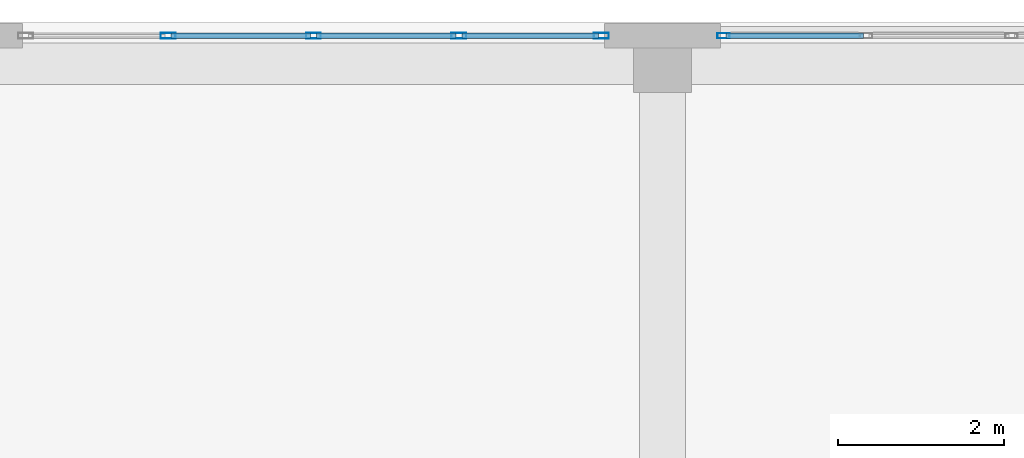
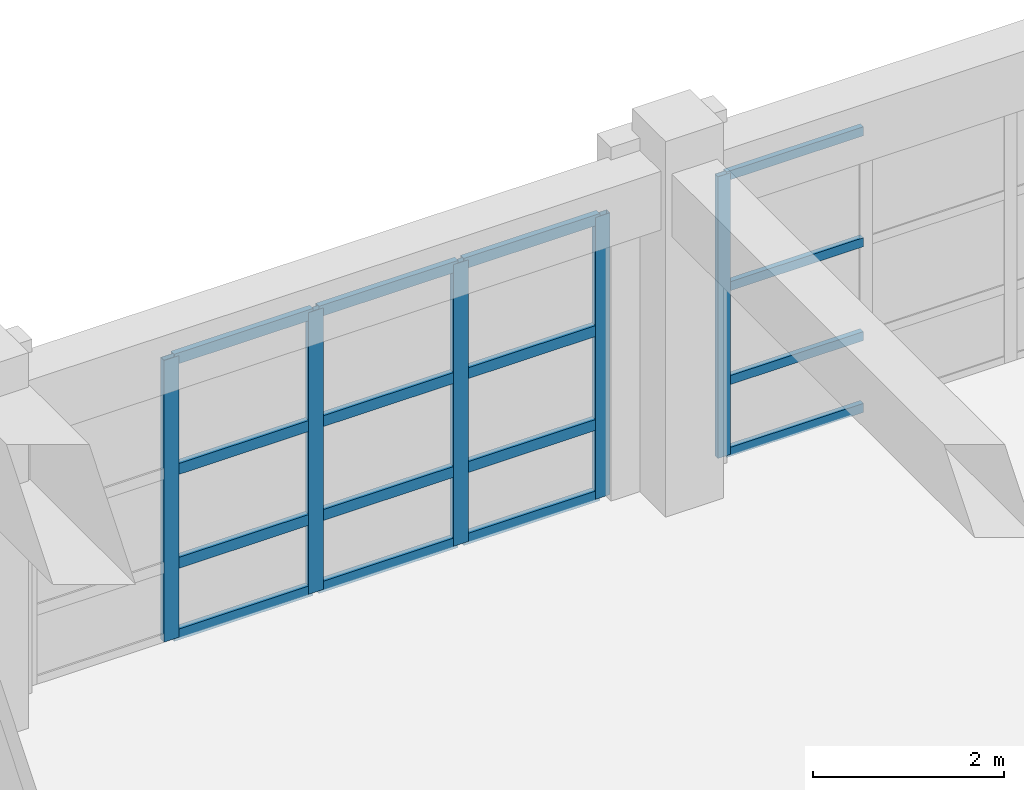
# One storey, part 82 of 123: 21 members, 2 elements without a shape of their own.
"""IFC4 building model written with IfcOpenShell, lengths in metres."""

import ifcopenshell
import ifcopenshell.guid

model = None  # the IFC model being written
_history = None  # IfcOwnerHistory: only IFC2X3 demands one
_inside = {}  # id of a spatial element -> (the spatial element, [elements in it])
_under = {}  # id of a project, library or spatial element -> (it, [spatial elements below it])
_declared = {}  # id of a project -> (the project, [libraries it declares])
_typed = {}  # id of a type object -> (the type object, [elements of that type])
_made_of = {}  # id of a material, layer set ... -> (it, [elements and type objects made of it])


def new_model(schema):
    """Start an empty IFC model of exactly this schema.

    Asked for "IFC4X3", IfcOpenShell would pick the latest addendum, in which some entities
    have other attributes; the version numbers below select the first issue.
    IFC2X3 requires an IfcOwnerHistory on every rooted entity: one is made here for all.
    """
    global model, _history
    if schema == "IFC4X3":
        model = ifcopenshell.file(schema_version=(4, 3, 0, 0))
    else:
        model = ifcopenshell.file(schema=schema)
    _inside.clear()
    _under.clear()
    _declared.clear()
    _typed.clear()
    _made_of.clear()
    _history = None
    if model.schema == "IFC2X3":
        org = make("IfcOrganization", Name="unknown")
        user = make(
            "IfcPersonAndOrganization",
            ThePerson=make("IfcPerson", FamilyName="unknown"),
            TheOrganization=org,
        )
        app = make(
            "IfcApplication",
            ApplicationDeveloper=org,
            Version="unknown",
            ApplicationFullName="unknown",
            ApplicationIdentifier="unknown",
        )
        _history = make(
            "IfcOwnerHistory",
            OwningUser=user,
            OwningApplication=app,
            ChangeAction="ADDED",
            CreationDate=0,
        )
    return model


def make(cls, **values):
    """One entity of the class cls with the attributes given. An attribute that is None is left unset."""
    return model.create_entity(
        cls, **{name: value for name, value in values.items() if value is not None}
    )


def rooted(cls, **values):
    """An entity with a GlobalId (a new one), such as an element, a storey or a relation."""
    return make(cls, GlobalId=ifcopenshell.guid.new(), OwnerHistory=_history, **values)


def si_unit(unit_type, name, prefix=None):
    """IfcSIUnit, for example si_unit("LENGTHUNIT", "METRE", prefix="MILLI")."""
    return make("IfcSIUnit", UnitType=unit_type, Prefix=prefix, Name=name)


def assignment(units):
    """IfcUnitAssignment: the units of a project."""
    return None if units is None else make("IfcUnitAssignment", Units=units)


def point(xyz):
    """IfcCartesianPoint."""
    return None if xyz is None else make("IfcCartesianPoint", Coordinates=xyz)


def direction(xyz):
    """IfcDirection."""
    return None if xyz is None else make("IfcDirection", DirectionRatios=xyz)


def frame(location, z_axis=None, x_axis=None):
    """IfcAxis2Placement3D, a coordinate frame: its origin and axes. An axis left out is left unset."""
    return make(
        "IfcAxis2Placement3D",
        Location=point(location),
        Axis=direction(z_axis),
        RefDirection=direction(x_axis),
    )


def frame_2d(location, x_axis=None):
    """IfcAxis2Placement2D, a coordinate frame in the plane: its origin and x axis."""
    return make(
        "IfcAxis2Placement2D", Location=point(location), RefDirection=direction(x_axis)
    )


def origin():
    """The frame at (0, 0, 0) with its axes left unset."""
    return frame((0.0, 0.0, 0.0))


def origin_2d():
    """The frame at (0, 0) in the plane with its x axis left unset."""
    return frame_2d((0.0, 0.0))


def place(relative_to, where):
    """IfcLocalPlacement: puts the frame where relative to a parent placement (None: the world)."""
    return make(
        "IfcLocalPlacement", PlacementRelTo=relative_to, RelativePlacement=where
    )


def context(
    kind, dimensions, precision=None, world=None, true_north=None, identifier=None
):
    """IfcGeometricRepresentationContext, for example the 3D "Model" context."""
    return make(
        "IfcGeometricRepresentationContext",
        ContextIdentifier=identifier,
        ContextType=kind,
        CoordinateSpaceDimension=dimensions,
        Precision=precision,
        WorldCoordinateSystem=world,
        TrueNorth=true_north,
    )


def subcontext(parent, identifier, kind, view, scale=None):
    """IfcGeometricRepresentationSubContext, for example "Body" below "Model"."""
    return make(
        "IfcGeometricRepresentationSubContext",
        ContextIdentifier=identifier,
        ContextType=kind,
        ParentContext=parent,
        TargetScale=scale,
        TargetView=view,
    )


def project(units=None, contexts=None):
    """IfcProject with its units and contexts."""
    return rooted(
        "IfcProject",
        Name="project",
        RepresentationContexts=contexts,
        UnitsInContext=assignment(units),
    )


def spatial(cls, under=None, at=None, **own):
    """A site, building, storey or space (cls), placed at a placement, below another one or the project."""
    s = rooted(cls, ObjectPlacement=at, **own)
    if under is not None:
        _under.setdefault(under.id(), (under, []))[1].append(s)
    return s


def profile(cls, at=None, kind="AREA", **sizes):
    """A parametric profile (cls). Its sizes go by their IFC names, for example OverallWidth=200.0."""
    return make(cls, ProfileType=kind, Position=at, **sizes)


def hollow_rectangle(**sizes):
    """IfcRectangleHollowProfileDef."""
    return profile("IfcRectangleHollowProfileDef", **sizes)


def extrude(swept, where, along, depth):
    """IfcExtrudedAreaSolid: the profile swept, set in the frame where, extruded along a direction by depth."""
    return make(
        "IfcExtrudedAreaSolid",
        SweptArea=swept,
        Position=where,
        ExtrudedDirection=direction(along),
        Depth=depth,
    )


def shape(context_of_items, identifier, shape_type, items):
    """IfcShapeRepresentation: the items that make up one representation, for example the "Body"."""
    return make(
        "IfcShapeRepresentation",
        ContextOfItems=context_of_items,
        RepresentationIdentifier=identifier,
        RepresentationType=shape_type,
        Items=items,
    )


def material(Name=None, Category=None):
    """IfcMaterial."""
    return make("IfcMaterial", Name=Name, Category=Category)


def layer(
    of_material, thickness, ventilated=None, Name=None, Category=None, Priority=None
):
    """IfcMaterialLayer: one layer of a wall or slab, of a material (None: an air gap)."""
    return make(
        "IfcMaterialLayer",
        Material=of_material,
        LayerThickness=thickness,
        IsVentilated=ventilated,
        Name=Name,
        Category=Category,
        Priority=Priority,
    )


def layer_set(layers, Name=None):
    """IfcMaterialLayerSet."""
    return make("IfcMaterialLayerSet", MaterialLayers=layers, LayerSetName=Name)


def material_profile(
    of_material, cross_section, Name=None, Category=None, Priority=None
):
    """IfcMaterialProfile: a cross section and its material."""
    return make(
        "IfcMaterialProfile",
        Name=Name,
        Material=of_material,
        Profile=cross_section,
        Priority=Priority,
        Category=Category,
    )


def profile_set(profiles, Name=None, composite=None):
    """IfcMaterialProfileSet."""
    return make(
        "IfcMaterialProfileSet",
        Name=Name,
        MaterialProfiles=profiles,
        CompositeProfile=composite,
    )


def made_of(thing, what):
    """Note that an element or type object is made of a material, layer set ...; save() writes the relation."""
    if what is not None:
        _made_of.setdefault(what.id(), (what, []))[1].append(thing)
    return thing


def type_object(cls, material=None, **own):
    """A type object (cls), such as IfcWallType, which elements share."""
    return made_of(rooted(cls, **own), material)


def element(
    cls,
    number,
    at=None,
    inside=None,
    cuts=None,
    type_object=None,
    material=None,
    context=None,
    identifier="Body",
    shape_type=None,
    held_by="IfcProductDefinitionShape",
    body=None,
    shapes=None,
    **own,
):
    """One element of the class cls, such as IfcWall. Its Tag is "e" and its number.

    at: its placement. inside: the storey or other place that contains it. cuts: it is an
    opening in that element (IfcRelVoidsElement). A single representation is given by context,
    identifier, shape_type and body (its items); several are given by shapes. held_by: the class
    of the entity that holds the representations. save() writes the other relations.
    """
    e = rooted(cls, Tag="e%d" % number, ObjectPlacement=at, **own)
    if body is not None:
        shapes = [shape(context, identifier, shape_type, body)]
    if shapes is not None:
        e.Representation = make(held_by, Representations=shapes)
    if inside is not None:
        _inside.setdefault(inside.id(), (inside, []))[1].append(e)
    if cuts is not None:
        rooted(
            "IfcRelVoidsElement", RelatingBuildingElement=cuts, RelatedOpeningElement=e
        )
    if type_object is not None:
        _typed.setdefault(type_object.id(), (type_object, []))[1].append(e)
    return made_of(e, material)


def aggregate(whole, parts):
    """IfcRelAggregates: a whole, such as a stair, and the parts it consists of."""
    return rooted("IfcRelAggregates", RelatingObject=whole, RelatedObjects=parts)


def save(model, path):
    """Write the relations noted so far, then the file.

    IfcRelAggregates (storeys below a building ...), IfcRelContainedInSpatialStructure (elements
    in a storey), IfcRelDefinesByType, IfcRelAssociatesMaterial and IfcRelDeclares: one each for
    every whole, place, type object, material and project.
    """
    for whole, parts in _under.values():
        aggregate(whole, parts)
    for where, things in _inside.values():
        rooted(
            "IfcRelContainedInSpatialStructure",
            RelatedElements=things,
            RelatingStructure=where,
        )
    for kind, things in _typed.values():
        rooted("IfcRelDefinesByType", RelatedObjects=things, RelatingType=kind)
    for what, things in _made_of.values():
        rooted("IfcRelAssociatesMaterial", RelatedObjects=things, RelatingMaterial=what)
    for by, libraries in _declared.values():
        rooted("IfcRelDeclares", RelatingContext=by, RelatedDefinitions=libraries)
    model.write(path)


model = new_model("IFC4")

# Units and contexts
model_context = context("Model", 3, precision=1e-05, world=origin(), true_north=direction((0.0, 1.0)))
body_context = subcontext(model_context, "Body", "Model", "MODEL_VIEW")
ifc_project = project(units=[si_unit("LENGTHUNIT", "METRE"), si_unit("AREAUNIT", "SQUARE_METRE"), si_unit("VOLUMEUNIT", "CUBIC_METRE"), si_unit("PLANEANGLEUNIT", "RADIAN"), si_unit("MASSUNIT", "GRAM", prefix="KILO")], contexts=[model_context])

# Site, building, storey
site_placement = place(None, origin())
site = spatial("IfcSite", under=ifc_project, at=site_placement, CompositionType="ELEMENT")
building_placement = place(site_placement, origin())
building = spatial("IfcBuilding", under=site, at=building_placement, Name="Quendrovan Civic Courthouse", CompositionType="ELEMENT")
storey_placement = place(building_placement, frame((0.0, 0.0, 5.39990234375)))
storey = spatial("IfcBuildingStorey", under=building, at=storey_placement, Name="L02", CompositionType="ELEMENT", Elevation=5.39990234375)

# Curtain wall, members
ifc_material_1 = material(Name="Bronze anodised aluminium and low-E glass", Category="aluminium")
ifc_layer = layer(ifc_material_1, 0.179931640625, Name="Bronze anodised aluminium and low-E glass")
ifc_layer_set = layer_set([ifc_layer], Name="Bronze anodised aluminium and low-E glass")
curtain_wall_type = type_object("IfcCurtainWallType", Name="CW-U70x36", PredefinedType="USERDEFINED", material=ifc_layer_set)
curtain_wall_1_placement = place(storey_placement, origin())
curtain_wall_1 = element("IfcCurtainWall", 1, at=curtain_wall_1_placement, inside=storey, type_object=curtain_wall_type, Name="L02 Unitised Hurricane Curtain Wall CW-092", ObjectType="UNITISED CURTAIN WALL", PredefinedType="USERDEFINED")
ifc_material_2 = material(Name="Bronze anodised aluminium", Category="aluminium")
ifc_material_profile_1 = material_profile(ifc_material_2, hollow_rectangle(XDim=0.070068359375, YDim=0.179931640625, WallThickness=0.00390625, at=origin_2d()), Name="CW-MULL-70x180")
ifc_profile_set_1 = profile_set([ifc_material_profile_1], Name="Bronze anodised aluminium")
member_type_1 = type_object("IfcMemberType", Name="CW-MULL-A", PredefinedType="MULLION", material=ifc_profile_set_1)
member_1_placement = place(storey_placement, frame((128.449951171875, 110.235107421875, 0.0), z_axis=(0.0, 0.0, 1.0), x_axis=(0.0, 1.0, 0.0)))
member_1 = element("IfcMember", 2, at=member_1_placement, type_object=member_type_1, Name="CW-092 mullion 2", PredefinedType="MULLION", context=body_context, shape_type="SweptSolid", body=[
    extrude(hollow_rectangle(XDim=0.070068359375, YDim=0.179931640625, WallThickness=0.00390625, at=origin_2d()), origin(), (0.0, 0.0, 1.0), 3.60009765625),
])
member_2_placement = place(storey_placement, frame((130.199951171875, 110.235107421875, 0.0), z_axis=(0.0, 0.0, 1.0), x_axis=(0.0, 1.0, 0.0)))
member_2 = element("IfcMember", 3, at=member_2_placement, type_object=member_type_1, Name="CW-092 mullion 3", PredefinedType="MULLION", context=body_context, shape_type="SweptSolid", body=[
    extrude(hollow_rectangle(XDim=0.070068359375, YDim=0.179931640625, WallThickness=0.00390625, at=origin_2d()), origin(), (0.0, 0.0, 1.0), 3.60009765625),
])
member_3_placement = place(storey_placement, frame((131.949951171875, 110.235107421875, 0.0), z_axis=(0.0, 0.0, 1.0), x_axis=(0.0, 1.0, 0.0)))
member_3 = element("IfcMember", 4, at=member_3_placement, type_object=member_type_1, Name="CW-092 mullion 4", PredefinedType="MULLION", context=body_context, shape_type="SweptSolid", body=[
    extrude(hollow_rectangle(XDim=0.070068359375, YDim=0.179931640625, WallThickness=0.00390625, at=origin_2d()), origin(), (0.0, 0.0, 1.0), 3.60009765625),
])
member_4_placement = place(storey_placement, frame((133.6650390625, 110.235107421875, 0.0), z_axis=(0.0, 0.0, 1.0), x_axis=(0.0, 1.0, 0.0)))
member_4 = element("IfcMember", 5, at=member_4_placement, type_object=member_type_1, Name="CW-092 mullion 5", PredefinedType="MULLION", context=body_context, shape_type="SweptSolid", body=[
    extrude(hollow_rectangle(XDim=0.070068359375, YDim=0.179931640625, WallThickness=0.00390625, at=origin_2d()), origin(), (0.0, 0.0, 1.0), 3.60009765625),
])

# Curtain wall, member
curtain_wall_2_placement = place(storey_placement, origin())
curtain_wall_2 = element("IfcCurtainWall", 6, at=curtain_wall_2_placement, inside=storey, type_object=curtain_wall_type, Name="L02 Unitised Hurricane Curtain Wall CW-093", ObjectType="UNITISED CURTAIN WALL", PredefinedType="USERDEFINED")
ifc_material_profile_2 = material_profile(ifc_material_2, hollow_rectangle(XDim=0.06494140625, YDim=0.14990234375, WallThickness=0.00390625, at=origin_2d()), Name="CW-MULL-65x150")
ifc_profile_set_2 = profile_set([ifc_material_profile_2], Name="Bronze anodised aluminium")
member_type_2 = type_object("IfcMemberType", Name="CW-MULL-B", PredefinedType="MULLION", material=ifc_profile_set_2)
member_5_placement = place(storey_placement, frame((135.132568359375, 110.235107421875, 0.0), z_axis=(0.0, 0.0, 1.0), x_axis=(0.0, 1.0, 0.0)))
member_5 = element("IfcMember", 7, at=member_5_placement, type_object=member_type_2, Name="CW-093 mullion 1", PredefinedType="MULLION", context=body_context, shape_type="SweptSolid", body=[
    extrude(hollow_rectangle(XDim=0.06494140625, YDim=0.14990234375, WallThickness=0.00390625, at=origin_2d()), origin(), (0.0, 0.0, 1.0), 3.60009765625),
])

# Member
ifc_material_profile_3 = material_profile(ifc_material_2, hollow_rectangle(XDim=0.070068359375, YDim=0.139892578125, WallThickness=0.00390625, at=origin_2d()), Name="CW-TRAN-70x140")
ifc_profile_set_3 = profile_set([ifc_material_profile_3], Name="Bronze anodised aluminium")
member_type_3 = type_object("IfcMemberType", Name="CW-TRAN-A", PredefinedType="USERDEFINED", material=ifc_profile_set_3)
member_6_placement = place(storey_placement, frame((128.485107421875, 110.235107421875, 0.03515625), z_axis=(1.0, 0.0, 0.0), x_axis=(0.0, 1.0, 0.0)))
member_6 = element("IfcMember", 8, at=member_6_placement, type_object=member_type_3, Name="CW-092 transom 2.1", ObjectType="TRANSOM", PredefinedType="USERDEFINED", context=body_context, shape_type="SweptSolid", body=[
    extrude(hollow_rectangle(XDim=0.070068359375, YDim=0.139892578125, WallThickness=0.00390625, at=origin_2d()), origin(), (0.0, 0.0, 1.0), 1.679931640625),
])

member_7_placement = place(storey_placement, frame((128.485107421875, 110.235107421875, 0.9501953125), z_axis=(1.0, 0.0, 0.0), x_axis=(0.0, 1.0, 0.0)))
member_7 = element("IfcMember", 9, at=member_7_placement, type_object=member_type_3, Name="CW-092 transom 2.2", ObjectType="TRANSOM", PredefinedType="USERDEFINED", context=body_context, shape_type="SweptSolid", body=[
    extrude(hollow_rectangle(XDim=0.070068359375, YDim=0.139892578125, WallThickness=0.00390625, at=origin_2d()), origin(), (0.0, 0.0, 1.0), 1.679931640625),
])

member_8_placement = place(storey_placement, frame((128.485107421875, 110.235107421875, 2.150146484375), z_axis=(1.0, 0.0, 0.0), x_axis=(0.0, 1.0, 0.0)))
member_8 = element("IfcMember", 10, at=member_8_placement, type_object=member_type_3, Name="CW-092 transom 2.3", ObjectType="TRANSOM", PredefinedType="USERDEFINED", context=body_context, shape_type="SweptSolid", body=[
    extrude(hollow_rectangle(XDim=0.070068359375, YDim=0.139892578125, WallThickness=0.00390625, at=origin_2d()), origin(), (0.0, 0.0, 1.0), 1.679931640625),
])

member_9_placement = place(storey_placement, frame((128.485107421875, 110.235107421875, 3.565185546875), z_axis=(1.0, 0.0, 0.0), x_axis=(0.0, 1.0, 0.0)))
member_9 = element("IfcMember", 11, at=member_9_placement, type_object=member_type_3, Name="CW-092 transom 2.4", ObjectType="TRANSOM", PredefinedType="USERDEFINED", context=body_context, shape_type="SweptSolid", body=[
    extrude(hollow_rectangle(XDim=0.070068359375, YDim=0.139892578125, WallThickness=0.00390625, at=origin_2d()), origin(), (0.0, 0.0, 1.0), 1.679931640625),
])

member_10_placement = place(storey_placement, frame((130.235107421875, 110.235107421875, 0.03515625), z_axis=(1.0, 0.0, 0.0), x_axis=(0.0, 1.0, 0.0)))
member_10 = element("IfcMember", 12, at=member_10_placement, type_object=member_type_3, Name="CW-092 transom 3.1", ObjectType="TRANSOM", PredefinedType="USERDEFINED", context=body_context, shape_type="SweptSolid", body=[
    extrude(hollow_rectangle(XDim=0.070068359375, YDim=0.139892578125, WallThickness=0.00390625, at=origin_2d()), origin(), (0.0, 0.0, 1.0), 1.679931640625),
])

member_11_placement = place(storey_placement, frame((130.235107421875, 110.235107421875, 0.9501953125), z_axis=(1.0, 0.0, 0.0), x_axis=(0.0, 1.0, 0.0)))
member_11 = element("IfcMember", 13, at=member_11_placement, type_object=member_type_3, Name="CW-092 transom 3.2", ObjectType="TRANSOM", PredefinedType="USERDEFINED", context=body_context, shape_type="SweptSolid", body=[
    extrude(hollow_rectangle(XDim=0.070068359375, YDim=0.139892578125, WallThickness=0.00390625, at=origin_2d()), origin(), (0.0, 0.0, 1.0), 1.679931640625),
])

member_12_placement = place(storey_placement, frame((130.235107421875, 110.235107421875, 2.150146484375), z_axis=(1.0, 0.0, 0.0), x_axis=(0.0, 1.0, 0.0)))
member_12 = element("IfcMember", 14, at=member_12_placement, type_object=member_type_3, Name="CW-092 transom 3.3", ObjectType="TRANSOM", PredefinedType="USERDEFINED", context=body_context, shape_type="SweptSolid", body=[
    extrude(hollow_rectangle(XDim=0.070068359375, YDim=0.139892578125, WallThickness=0.00390625, at=origin_2d()), origin(), (0.0, 0.0, 1.0), 1.679931640625),
])

member_13_placement = place(storey_placement, frame((130.235107421875, 110.235107421875, 3.565185546875), z_axis=(1.0, 0.0, 0.0), x_axis=(0.0, 1.0, 0.0)))
member_13 = element("IfcMember", 15, at=member_13_placement, type_object=member_type_3, Name="CW-092 transom 3.4", ObjectType="TRANSOM", PredefinedType="USERDEFINED", context=body_context, shape_type="SweptSolid", body=[
    extrude(hollow_rectangle(XDim=0.070068359375, YDim=0.139892578125, WallThickness=0.00390625, at=origin_2d()), origin(), (0.0, 0.0, 1.0), 1.679931640625),
])

member_14_placement = place(storey_placement, frame((131.985107421875, 110.235107421875, 0.03515625), z_axis=(1.0, 0.0, 0.0), x_axis=(0.0, 1.0, 0.0)))
member_14 = element("IfcMember", 16, at=member_14_placement, type_object=member_type_3, Name="CW-092 transom 4.1", ObjectType="TRANSOM", PredefinedType="USERDEFINED", context=body_context, shape_type="SweptSolid", body=[
    extrude(hollow_rectangle(XDim=0.070068359375, YDim=0.139892578125, WallThickness=0.00390625, at=origin_2d()), origin(), (0.0, 0.0, 1.0), 1.644775390625),
])

member_15_placement = place(storey_placement, frame((131.985107421875, 110.235107421875, 0.9501953125), z_axis=(1.0, 0.0, 0.0), x_axis=(0.0, 1.0, 0.0)))
member_15 = element("IfcMember", 17, at=member_15_placement, type_object=member_type_3, Name="CW-092 transom 4.2", ObjectType="TRANSOM", PredefinedType="USERDEFINED", context=body_context, shape_type="SweptSolid", body=[
    extrude(hollow_rectangle(XDim=0.070068359375, YDim=0.139892578125, WallThickness=0.00390625, at=origin_2d()), origin(), (0.0, 0.0, 1.0), 1.644775390625),
])

member_16_placement = place(storey_placement, frame((131.985107421875, 110.235107421875, 2.150146484375), z_axis=(1.0, 0.0, 0.0), x_axis=(0.0, 1.0, 0.0)))
member_16 = element("IfcMember", 18, at=member_16_placement, type_object=member_type_3, Name="CW-092 transom 4.3", ObjectType="TRANSOM", PredefinedType="USERDEFINED", context=body_context, shape_type="SweptSolid", body=[
    extrude(hollow_rectangle(XDim=0.070068359375, YDim=0.139892578125, WallThickness=0.00390625, at=origin_2d()), origin(), (0.0, 0.0, 1.0), 1.644775390625),
])

member_17_placement = place(storey_placement, frame((131.985107421875, 110.235107421875, 3.565185546875), z_axis=(1.0, 0.0, 0.0), x_axis=(0.0, 1.0, 0.0)))
member_17 = element("IfcMember", 19, at=member_17_placement, type_object=member_type_3, Name="CW-092 transom 4.4", ObjectType="TRANSOM", PredefinedType="USERDEFINED", context=body_context, shape_type="SweptSolid", body=[
    extrude(hollow_rectangle(XDim=0.070068359375, YDim=0.139892578125, WallThickness=0.00390625, at=origin_2d()), origin(), (0.0, 0.0, 1.0), 1.644775390625),
])

aggregate(curtain_wall_1, [member_1, member_2, member_3, member_4, member_6, member_7, member_8, member_9, member_10, member_11, member_12, member_13, member_14, member_15, member_16, member_17])

ifc_material_profile_4 = material_profile(ifc_material_2, hollow_rectangle(XDim=0.06494140625, YDim=0.114990234375, WallThickness=0.00390625, at=origin_2d()), Name="CW-TRAN-65x115")
ifc_profile_set_4 = profile_set([ifc_material_profile_4], Name="Bronze anodised aluminium")
member_type_4 = type_object("IfcMemberType", Name="CW-TRAN-B", PredefinedType="USERDEFINED", material=ifc_profile_set_4)
member_18_placement = place(storey_placement, frame((135.1650390625, 110.235107421875, 0.03271484375), z_axis=(1.0, 0.0, 0.0), x_axis=(0.0, 1.0, 0.0)))
member_18 = element("IfcMember", 20, at=member_18_placement, type_object=member_type_4, Name="CW-093 transom 1.1", ObjectType="TRANSOM", PredefinedType="USERDEFINED", context=body_context, shape_type="SweptSolid", body=[
    extrude(hollow_rectangle(XDim=0.06494140625, YDim=0.114990234375, WallThickness=0.00390625, at=origin_2d()), origin(), (0.0, 0.0, 1.0), 1.65234375),
])

member_19_placement = place(storey_placement, frame((135.1650390625, 110.235107421875, 0.9501953125), z_axis=(1.0, 0.0, 0.0), x_axis=(0.0, 1.0, 0.0)))
member_19 = element("IfcMember", 21, at=member_19_placement, type_object=member_type_4, Name="CW-093 transom 1.2", ObjectType="TRANSOM", PredefinedType="USERDEFINED", context=body_context, shape_type="SweptSolid", body=[
    extrude(hollow_rectangle(XDim=0.06494140625, YDim=0.114990234375, WallThickness=0.00390625, at=origin_2d()), origin(), (0.0, 0.0, 1.0), 1.65234375),
])

member_20_placement = place(storey_placement, frame((135.1650390625, 110.235107421875, 2.150146484375), z_axis=(1.0, 0.0, 0.0), x_axis=(0.0, 1.0, 0.0)))
member_20 = element("IfcMember", 22, at=member_20_placement, type_object=member_type_4, Name="CW-093 transom 1.3", ObjectType="TRANSOM", PredefinedType="USERDEFINED", context=body_context, shape_type="SweptSolid", body=[
    extrude(hollow_rectangle(XDim=0.06494140625, YDim=0.114990234375, WallThickness=0.00390625, at=origin_2d()), origin(), (0.0, 0.0, 1.0), 1.65234375),
])

member_21_placement = place(storey_placement, frame((135.1650390625, 110.235107421875, 3.567626953125), z_axis=(1.0, 0.0, 0.0), x_axis=(0.0, 1.0, 0.0)))
member_21 = element("IfcMember", 23, at=member_21_placement, type_object=member_type_4, Name="CW-093 transom 1.4", ObjectType="TRANSOM", PredefinedType="USERDEFINED", context=body_context, shape_type="SweptSolid", body=[
    extrude(hollow_rectangle(XDim=0.06494140625, YDim=0.114990234375, WallThickness=0.00390625, at=origin_2d()), origin(), (0.0, 0.0, 1.0), 1.65234375),
])

aggregate(curtain_wall_2, [member_5, member_18, member_19, member_20, member_21])

save(model, "model.ifc")
